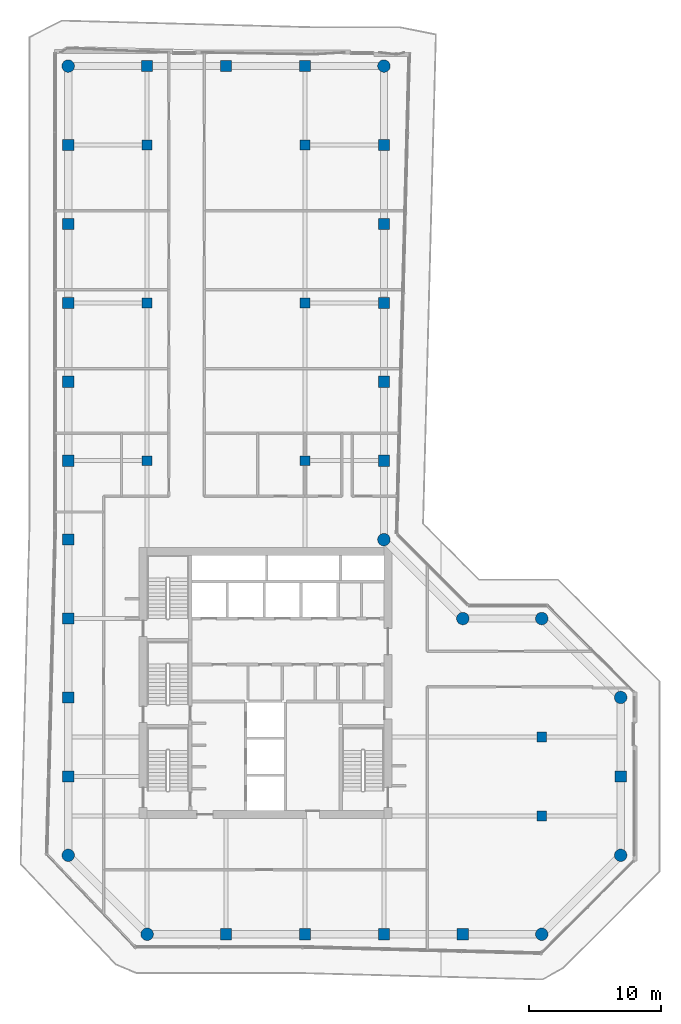
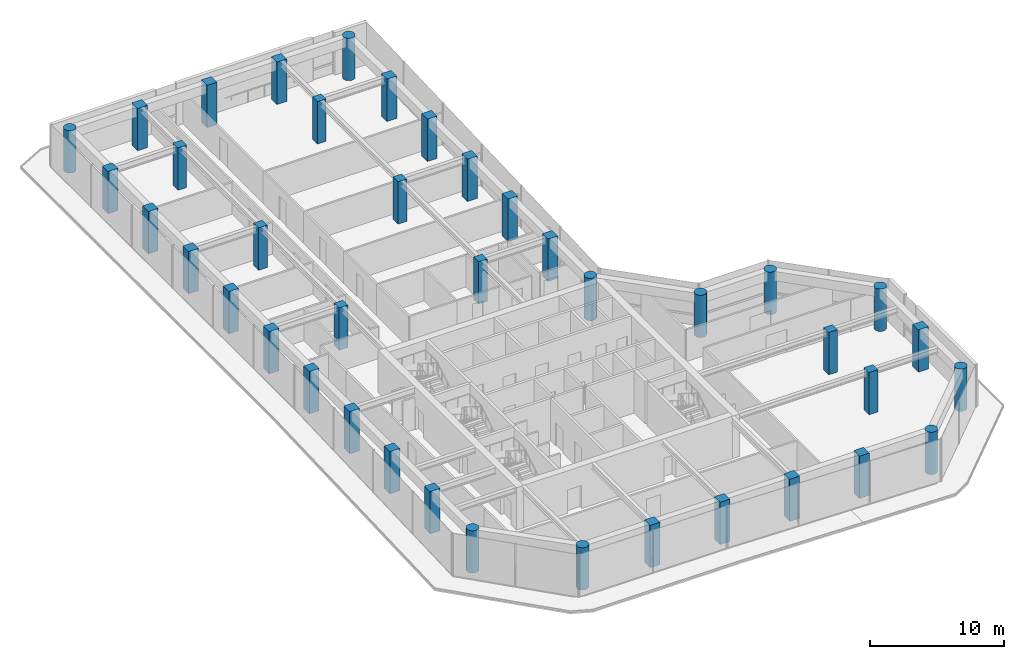
# One storey, part 1 of 19: 40 columns.
"""IFC4 building model written with IfcOpenShell, lengths in metres."""

from ifc_helpers import new_model, si_unit, direction, frame, origin, origin_2d, place, context, subcontext, project, spatial, rectangle, circle, extrude, material, material_profile, profile_set, type_object, element, save


model = new_model("IFC4")

# Units and contexts
model_context = context("Model", 3, precision=1e-05, world=origin(), true_north=direction((0.0, 1.0)))
body_context = subcontext(model_context, "Body", "Model", "MODEL_VIEW")
ifc_project = project(units=[si_unit("LENGTHUNIT", "METRE"), si_unit("AREAUNIT", "SQUARE_METRE"), si_unit("VOLUMEUNIT", "CUBIC_METRE"), si_unit("PLANEANGLEUNIT", "RADIAN"), si_unit("MASSUNIT", "GRAM", prefix="KILO")], contexts=[model_context])

# Site, building, storey
site_placement = place(None, origin())
site = spatial("IfcSite", under=ifc_project, at=site_placement, CompositionType="ELEMENT")
building_placement = place(site_placement, origin())
building = spatial("IfcBuilding", under=site, at=building_placement, Name="Welwitschia Terrace Campus", CompositionType="ELEMENT")
storey_placement = place(building_placement, frame((0.0, 0.0, 163.39990234375)))
storey = spatial("IfcBuildingStorey", under=building, at=storey_placement, Name="L36", CompositionType="ELEMENT", Elevation=163.39990234375)

# Columns
ifc_material_1 = material(Name="Concrete C50/60", Category="concrete")
ifc_material_profile_1 = material_profile(ifc_material_1, circle(Radius=0.47509765625, at=origin_2d()))
ifc_profile_set_1 = profile_set([ifc_material_profile_1], Name="Concrete C50/60")
column_type_1 = type_object("IfcColumnType", Name="Corner column 950 dia", PredefinedType="COLUMN", material=ifc_profile_set_1)
for number, where, z_axis, x_axis, name in (
    (1, (0.0, 2.0, 0.0), (0.0, 0.0, 1.0), (1.0, 0.0, 0.0), "Column C24"),
    (2, (0.0, 62.0, 0.0), (0.0, 0.0, 1.0), (1.0, 0.0, 0.0), "Column C24"),
    (3, (6.0, -4.0, 0.0), (0.0, 0.0, 1.0), (1.0, 0.0, 0.0), "Column C24"),
    (4, (24.0, 26.0, 0.0), (0.0, 0.0, 1.0), (1.0, 0.0, 0.0), "Column C24"),
    (5, (24.0, 62.0, 0.0), (0.0, 0.0, 1.0), (1.0, 0.0, 0.0), "Column C24"),
    (6, (30.0, 20.0, 0.0), (0.0, 0.0, 1.0), (1.0, 0.0, 0.0), "Column C24"),
    (7, (36.0, -4.0, 0.0), (0.0, 0.0, 1.0), (1.0, 0.0, 0.0), "Column C24"),
    (8, (36.0, 20.0, 0.0), (0.0, 0.0, 1.0), (1.0, 0.0, 0.0), "Column C24"),
    (9, (42.0, 2.0, 0.0), (0.0, 0.0, 1.0), (1.0, 0.0, 0.0), "Column C24"),
    (10, (42.0, 14.0, 0.0), (0.0, 0.0, 1.0), (1.0, 0.0, 0.0), "Column C24"),
):
    element("IfcColumn", number, at=place(storey_placement, frame(where, z_axis=z_axis, x_axis=x_axis)), inside=storey, type_object=column_type_1, Name=name, PredefinedType="COLUMN", context=body_context, shape_type="SweptSolid", body=[
        extrude(circle(Radius=0.47509765625, at=origin_2d()), origin(), (0.0, 0.0, 1.0), 3.85009765625),
    ])
ifc_material_2 = material(Name="Concrete C50/60", Category="concrete")
ifc_material_profile_2 = material_profile(ifc_material_2, rectangle(XDim=0.75, YDim=0.75, at=origin_2d()))
ifc_profile_set_2 = profile_set([ifc_material_profile_2], Name="Concrete C50/60")
column_type_2 = type_object("IfcColumnType", Name="Interior column 750x750", PredefinedType="COLUMN", material=ifc_profile_set_2)
for number, where, z_axis, x_axis, name in (
    (11, (6.0, 32.0, 0.0), (0.0, 0.0, 1.0), (1.0, 0.0, 0.0), "Column C25"),
    (12, (6.0, 44.0, 0.0), (0.0, 0.0, 1.0), (1.0, 0.0, 0.0), "Column C25"),
    (13, (6.0, 56.0, 0.0), (0.0, 0.0, 1.0), (1.0, 0.0, 0.0), "Column C25"),
    (14, (18.0, 32.0, 0.0), (0.0, 0.0, 1.0), (1.0, 0.0, 0.0), "Column C25"),
    (15, (18.0, 44.0, 0.0), (0.0, 0.0, 1.0), (1.0, 0.0, 0.0), "Column C25"),
    (16, (18.0, 56.0, 0.0), (0.0, 0.0, 1.0), (1.0, 0.0, 0.0), "Column C25"),
    (17, (36.0, 5.0, 0.0), (0.0, 0.0, 1.0), (1.0, 0.0, 0.0), "Column C25"),
    (18, (36.0, 11.0, 0.0), (0.0, 0.0, 1.0), (1.0, 0.0, 0.0), "Column C25"),
):
    element("IfcColumn", number, at=place(storey_placement, frame(where, z_axis=z_axis, x_axis=x_axis)), inside=storey, type_object=column_type_2, Name=name, PredefinedType="COLUMN", context=body_context, shape_type="SweptSolid", body=[
        extrude(rectangle(XDim=0.75, YDim=0.75, at=origin_2d()), origin(), (0.0, 0.0, 1.0), 3.85009765625),
    ])
ifc_material_3 = material(Name="Concrete C50/60", Category="concrete")
ifc_material_profile_3 = material_profile(ifc_material_3, rectangle(XDim=0.85009765625, YDim=0.85009765625, at=origin_2d()))
ifc_profile_set_3 = profile_set([ifc_material_profile_3], Name="Concrete C50/60")
column_type_3 = type_object("IfcColumnType", Name="Ring column 850x850", PredefinedType="COLUMN", material=ifc_profile_set_3)
for number, where, z_axis, x_axis, name in (
    (19, (0.0, 8.0, 0.0), (0.0, 0.0, 1.0), (1.0, 0.0, 0.0), "Column C23"),
    (20, (0.0, 14.0, 0.0), (0.0, 0.0, 1.0), (1.0, 0.0, 0.0), "Column C23"),
    (21, (0.0, 20.0, 0.0), (0.0, 0.0, 1.0), (1.0, 0.0, 0.0), "Column C23"),
    (22, (0.0, 26.0, 0.0), (0.0, 0.0, 1.0), (1.0, 0.0, 0.0), "Column C23"),
    (23, (0.0, 32.0, 0.0), (0.0, 0.0, 1.0), (1.0, 0.0, 0.0), "Column C23"),
    (24, (0.0, 38.0, 0.0), (0.0, 0.0, 1.0), (1.0, 0.0, 0.0), "Column C23"),
    (25, (0.0, 44.0, 0.0), (0.0, 0.0, 1.0), (1.0, 0.0, 0.0), "Column C23"),
    (26, (0.0, 50.0, 0.0), (0.0, 0.0, 1.0), (1.0, 0.0, 0.0), "Column C23"),
    (27, (0.0, 56.0, 0.0), (0.0, 0.0, 1.0), (1.0, 0.0, 0.0), "Column C23"),
    (28, (6.0, 62.0, 0.0), (0.0, 0.0, 1.0), (1.0, 0.0, 0.0), "Column C23"),
    (29, (12.0, -4.0, 0.0), (0.0, 0.0, 1.0), (1.0, 0.0, 0.0), "Column C23"),
    (30, (12.0, 62.0, 0.0), (0.0, 0.0, 1.0), (1.0, 0.0, 0.0), "Column C23"),
    (31, (18.0, -4.0, 0.0), (0.0, 0.0, 1.0), (1.0, 0.0, 0.0), "Column C23"),
    (32, (18.0, 62.0, 0.0), (0.0, 0.0, 1.0), (1.0, 0.0, 0.0), "Column C23"),
    (33, (24.0, -4.0, 0.0), (0.0, 0.0, 1.0), (1.0, 0.0, 0.0), "Column C23"),
    (34, (24.0, 32.0, 0.0), (0.0, 0.0, 1.0), (1.0, 0.0, 0.0), "Column C23"),
    (35, (24.0, 38.0, 0.0), (0.0, 0.0, 1.0), (1.0, 0.0, 0.0), "Column C23"),
    (36, (24.0, 44.0, 0.0), (0.0, 0.0, 1.0), (1.0, 0.0, 0.0), "Column C23"),
    (37, (24.0, 50.0, 0.0), (0.0, 0.0, 1.0), (1.0, 0.0, 0.0), "Column C23"),
    (38, (24.0, 56.0, 0.0), (0.0, 0.0, 1.0), (1.0, 0.0, 0.0), "Column C23"),
    (39, (30.0, -4.0, 0.0), (0.0, 0.0, 1.0), (1.0, 0.0, 0.0), "Column C23"),
    (40, (42.0, 8.0, 0.0), (0.0, 0.0, 1.0), (1.0, 0.0, 0.0), "Column C23"),
):
    element("IfcColumn", number, at=place(storey_placement, frame(where, z_axis=z_axis, x_axis=x_axis)), inside=storey, type_object=column_type_3, Name=name, PredefinedType="COLUMN", context=body_context, shape_type="SweptSolid", body=[
        extrude(rectangle(XDim=0.85009765625, YDim=0.85009765625, at=origin_2d()), origin(), (0.0, 0.0, 1.0), 3.85009765625),
    ])

save(model, "model.ifc")
